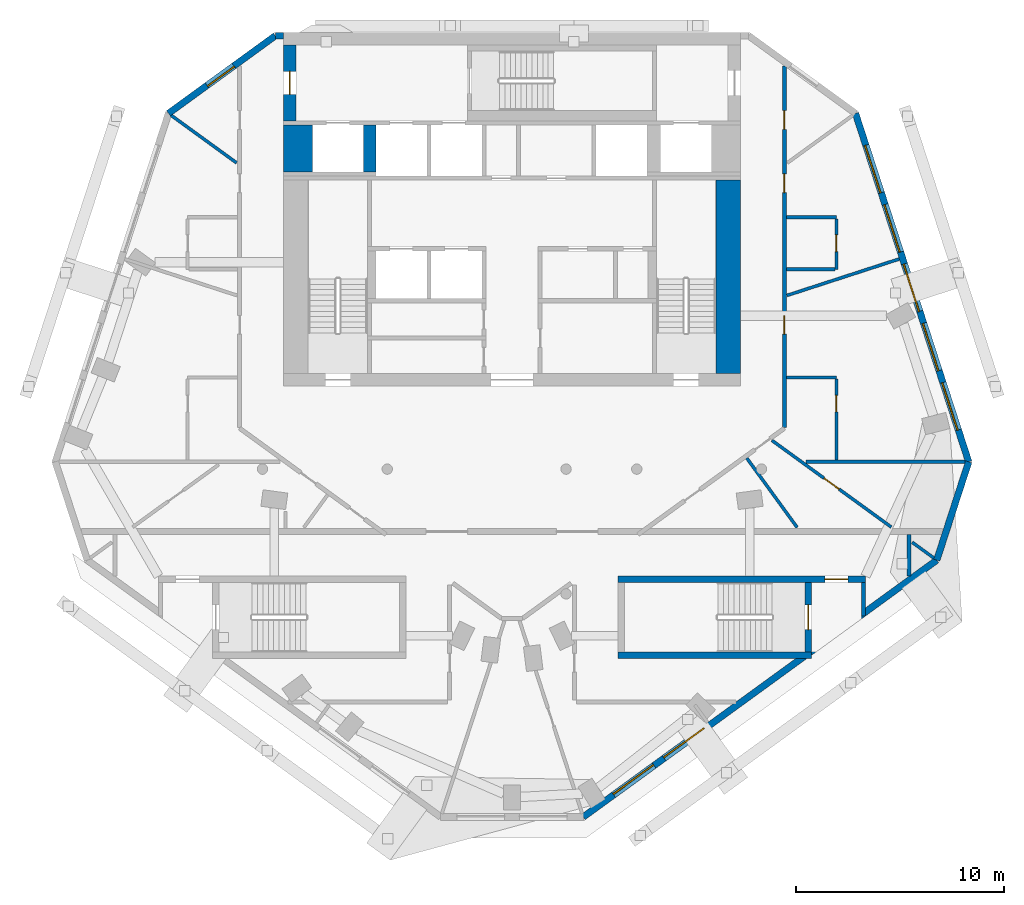
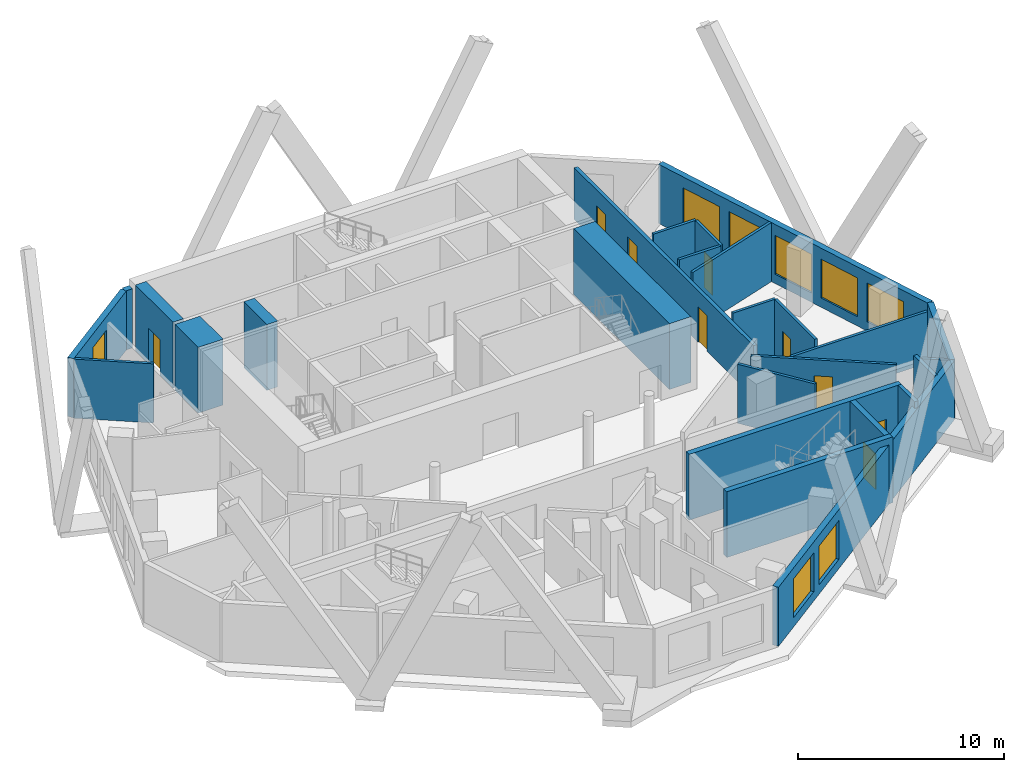
# One storey, part 5 of 8: 26 walls, 9 doors, 8 windows, 17 openings.
"""IFC4 building model written with IfcOpenShell, lengths in metres."""

from ifc_helpers import new_model, si_unit, direction, frame, frame_2d, origin, place, context, subcontext, project, spatial, rectangle, extrude, material, layer, layer_set, type_object, element, fill, save


model = new_model("IFC4")

# Units and contexts
model_context = context("Model", 3, precision=1e-05, world=origin(), true_north=direction((0.0, 1.0)))
body_context = subcontext(model_context, "Body", "Model", "MODEL_VIEW")
ifc_project = project(units=[si_unit("LENGTHUNIT", "METRE"), si_unit("AREAUNIT", "SQUARE_METRE"), si_unit("VOLUMEUNIT", "CUBIC_METRE"), si_unit("PLANEANGLEUNIT", "RADIAN"), si_unit("MASSUNIT", "GRAM", prefix="KILO")], contexts=[model_context])

# Site, building, storey
site_placement = place(None, origin())
site = spatial("IfcSite", under=ifc_project, at=site_placement, CompositionType="ELEMENT")
building_placement = place(site_placement, origin())
building = spatial("IfcBuilding", under=site, at=building_placement, Name="White Candle Pilgrim Tower", CompositionType="ELEMENT")
storey_placement = place(building_placement, frame((0.0, 0.0, 317.800048828125)))
storey = spatial("IfcBuildingStorey", under=building, at=storey_placement, Name="L75", CompositionType="ELEMENT", Elevation=317.800048828125)

# Walls
ifc_material_1 = material(Name="Concrete C40/50", Category="concrete")
ifc_layer_1 = layer(ifc_material_1, 1.39990234375)
ifc_layer_set_1 = layer_set([ifc_layer_1], Name="Core wall 1400 mm Concrete C40/50")
wall_type_1 = type_object("IfcWallType", Name="Core wall 1400 mm Concrete C40/50", PredefinedType="SHEAR", material=ifc_layer_set_1)
wall_1_placement = place(storey_placement, frame((59.699951171875, 81.300048828125, 0.0), z_axis=(0.0, 0.0, 1.0), x_axis=(0.0, 1.0, 0.0)))
element("IfcWall", 1, at=wall_1_placement, inside=storey, type_object=wall_type_1, Name="WL-L75-C40", PredefinedType="SHEAR", context=body_context, shape_type="SweptSolid", body=[
    extrude(rectangle(XDim=2.25, YDim=1.39990234375, at=frame_2d((1.125, 0.0))), origin(), (0.0, 0.0, 1.0), 3.89990234375),
])
ifc_layer_2 = layer(ifc_material_1, 0.199951171875)
ifc_layer_set_2 = layer_set([ifc_layer_2], Name="Core wall 200 mm Concrete C40/50")
wall_type_2 = type_object("IfcWallType", Name="Core wall 200 mm Concrete C40/50", PredefinedType="SHEAR", material=ifc_layer_set_2)
wall_2_placement = place(storey_placement, frame((86.89990234375, 59.934326171875, 0.0), z_axis=(0.0, 0.0, 1.0), x_axis=(0.0, 1.0, 0.0)))
element("IfcWall", 2, at=wall_2_placement, inside=storey, type_object=wall_type_2, Name="WL-L75-C08", PredefinedType="SHEAR", context=body_context, shape_type="SweptSolid", body=[
    extrude(rectangle(XDim=1.61572265625, YDim=0.199951171875, at=frame_2d((0.807861328125, 0.0))), origin(), (0.0, 0.0, 1.0), 3.89990234375),
])

# Wall, opening, door
ifc_layer_3 = layer(ifc_material_1, 0.60009765625)
ifc_layer_set_3 = layer_set([ifc_layer_3], Name="Core wall 600 mm Concrete C40/50")
wall_type_3 = type_object("IfcWallType", Name="Core wall 600 mm Concrete C40/50", PredefinedType="SHEAR", material=ifc_layer_set_3)
wall_3_placement = place(storey_placement, frame((59.300048828125, 83.75, 0.0), z_axis=(0.0, 0.0, 1.0), x_axis=(0.0, 1.0, 0.0)))
wall_3 = element("IfcWall", 3, at=wall_3_placement, inside=storey, type_object=wall_type_3, Name="WL-L75-C45", PredefinedType="SHEAR", context=body_context, shape_type="SweptSolid", body=[
    extrude(rectangle(XDim=3.64990234375, YDim=0.60009765625, at=frame_2d((1.824951171875, 0.0))), origin(), (0.0, 0.0, 1.0), 3.89990234375),
])
opening_1_placement = place(wall_3_placement, frame((1.27490234375, 0.0, 0.0)))
opening_1 = element("IfcOpeningElement", 4, at=opening_1_placement, cuts=wall_3, Name="Opening T23-008", PredefinedType="OPENING", context=body_context, shape_type="SweptSolid", body=[
    extrude(rectangle(XDim=1.10009765625, YDim=2.10009765625, at=frame_2d((0.550048828125, 1.050048828125))), frame((0.0, 0.31005859375, 0.0), z_axis=(0.0, -1.0, 0.0), x_axis=(1.0, 0.0, 0.0)), (0.0, 0.0, 1.0), 0.6201171875),
])
ifc_material_2 = material(Name="Steel door leaf", Category="steel")
door_type_1 = type_object("IfcDoorType", Name="Fire door 1100 x 2100 EI 60", OperationType="NOTDEFINED", PredefinedType="DOOR", material=ifc_material_2)
door_1_placement = place(opening_1_placement, origin())
door_1 = element("IfcDoor", 5, at=door_1_placement, inside=storey, type_object=door_type_1, Name="Door T23-008", OperationType="SINGLE_SWING_RIGHT", OverallHeight=2.10009765625, OverallWidth=1.10009765625, PredefinedType="DOOR", context=body_context, shape_type="SweptSolid", body=[
    extrude(rectangle(XDim=1.10009765625, YDim=2.10009765625, at=frame_2d((0.550048828125, 1.050048828125))), frame((0.0, 0.02490234375, 0.0), z_axis=(0.0, -1.0, 0.0), x_axis=(1.0, 0.0, 0.0)), (0.0, 0.0, 1.0), 0.050048828125),
])
fill(opening_1, door_1)

# Wall, openings, doors
ifc_material_3 = material(Name="Gypsum board on steel studs", Category="steel")
ifc_layer_4 = layer(ifc_material_3, 0.199951171875)
ifc_layer_set_4 = layer_set([ifc_layer_4], Name="Corridor wall 200 mm EI 45")
wall_type_4 = type_object("IfcWallType", Name="Corridor wall 200 mm EI 45", PredefinedType="PARTITIONING", material=ifc_layer_set_4)
wall_4_placement = place(storey_placement, frame((83.10009765625, 86.396240234375, 0.0), z_axis=(0.0, 0.0, 1.0), x_axis=(0.0, -1.0, 0.0)))
wall_4 = element("IfcWall", 6, at=wall_4_placement, inside=storey, type_object=wall_type_4, Name="WL-L75-P004", PredefinedType="PARTITIONING", context=body_context, shape_type="SweptSolid", body=[
    extrude(rectangle(XDim=17.396240234375, YDim=0.199951171875, at=frame_2d((8.6982421875, 0.0))), origin(), (0.0, 0.0, 1.0), 3.050048828125),
])
opening_2_placement = place(wall_4_placement, frame((2.159423828125, 0.0, 0.0)))
opening_2 = element("IfcOpeningElement", 7, at=opening_2_placement, cuts=wall_4, Name="Opening T23-113", PredefinedType="OPENING", context=body_context, shape_type="SweptSolid", body=[
    extrude(rectangle(XDim=0.89990234375, YDim=2.10009765625, at=frame_2d((0.449951171875, 1.050048828125))), frame((0.0, 0.10986328125, 0.0), z_axis=(0.0, -1.0, 0.0), x_axis=(1.0, 0.0, 0.0)), (0.0, 0.0, 1.0), 0.219970703125),
])
opening_3_placement = place(wall_4_placement, frame((5.20166015625, 0.0, 0.0)))
opening_3 = element("IfcOpeningElement", 8, at=opening_3_placement, cuts=wall_4, Name="Opening T23-114", PredefinedType="OPENING", context=body_context, shape_type="SweptSolid", body=[
    extrude(rectangle(XDim=0.89990234375, YDim=2.10009765625, at=frame_2d((0.449951171875, 1.050048828125))), frame((0.0, 0.10986328125, 0.0), z_axis=(0.0, -1.0, 0.0), x_axis=(1.0, 0.0, 0.0)), (0.0, 0.0, 1.0), 0.219970703125),
])
opening_4_placement = place(wall_4_placement, frame((12.008544921875, 0.0, 0.0)))
opening_4 = element("IfcOpeningElement", 9, at=opening_4_placement, cuts=wall_4, Name="Opening T23-115", PredefinedType="OPENING", context=body_context, shape_type="SweptSolid", body=[
    extrude(rectangle(XDim=0.89990234375, YDim=2.10009765625, at=frame_2d((0.449951171875, 1.050048828125))), frame((0.0, 0.10986328125, 0.0), z_axis=(0.0, -1.0, 0.0), x_axis=(1.0, 0.0, 0.0)), (0.0, 0.0, 1.0), 0.219970703125),
])
door_type_2 = type_object("IfcDoorType", Name="Fire door 900 x 2100 EI 30", OperationType="NOTDEFINED", PredefinedType="DOOR", material=ifc_material_2)
door_2_placement = place(opening_2_placement, origin())
door_2 = element("IfcDoor", 10, at=door_2_placement, inside=storey, type_object=door_type_2, Name="Door T23-113", OperationType="SINGLE_SWING_LEFT", OverallHeight=2.10009765625, OverallWidth=0.89990234375, PredefinedType="DOOR", context=body_context, shape_type="SweptSolid", body=[
    extrude(rectangle(XDim=0.89990234375, YDim=2.10009765625, at=frame_2d((0.449951171875, 1.050048828125))), frame((0.0, 0.02490234375, 0.0), z_axis=(0.0, -1.0, 0.0), x_axis=(1.0, 0.0, 0.0)), (0.0, 0.0, 1.0), 0.050048828125),
])
fill(opening_2, door_2)
door_3_placement = place(opening_3_placement, origin())
door_3 = element("IfcDoor", 11, at=door_3_placement, inside=storey, type_object=door_type_2, Name="Door T23-114", OperationType="SINGLE_SWING_RIGHT", OverallHeight=2.10009765625, OverallWidth=0.89990234375, PredefinedType="DOOR", context=body_context, shape_type="SweptSolid", body=[
    extrude(rectangle(XDim=0.89990234375, YDim=2.10009765625, at=frame_2d((0.449951171875, 1.050048828125))), frame((0.0, 0.02490234375, 0.0), z_axis=(0.0, -1.0, 0.0), x_axis=(1.0, 0.0, 0.0)), (0.0, 0.0, 1.0), 0.050048828125),
])
fill(opening_3, door_3)
door_4_placement = place(opening_4_placement, origin())
door_4 = element("IfcDoor", 12, at=door_4_placement, inside=storey, type_object=door_type_2, Name="Door T23-115", OperationType="SINGLE_SWING_LEFT", OverallHeight=2.10009765625, OverallWidth=0.89990234375, PredefinedType="DOOR", context=body_context, shape_type="SweptSolid", body=[
    extrude(rectangle(XDim=0.89990234375, YDim=2.10009765625, at=frame_2d((0.449951171875, 1.050048828125))), frame((0.0, 0.02490234375, 0.0), z_axis=(0.0, -1.0, 0.0), x_axis=(1.0, 0.0, 0.0)), (0.0, 0.0, 1.0), 0.050048828125),
])
fill(opening_4, door_4)

# Wall
wall_5_placement = place(storey_placement, frame((89.10009765625, 63.85009765625, 0.0), z_axis=(0.0, 0.0, 1.0), x_axis=(0.0, -1.0, 0.0)))
element("IfcWall", 13, at=wall_5_placement, inside=storey, type_object=wall_type_4, Name="WL-L75-P006", PredefinedType="PARTITIONING", context=body_context, shape_type="SweptSolid", body=[
    extrude(rectangle(XDim=1.99462890625, YDim=0.199951171875, at=frame_2d((0.997314453125, 0.0))), origin(), (0.0, 0.0, 1.0), 3.5),
])

# Wall, openings, windows
ifc_material_4 = material(Name="Precast concrete C40/50", Category="concrete")
ifc_layer_5 = layer(ifc_material_4, 0.320068359375)
ifc_layer_set_5 = layer_set([ifc_layer_5], Name="Facade wall EW1 precast concrete C40/50 pier wall with timber-lined reveals")
wall_type_5 = type_object("IfcWallType", Name="Facade wall EW1 precast concrete C40/50 pier wall with timber-lined reveals", PredefinedType="SOLIDWALL", material=ifc_layer_set_5)
wall_6_placement = place(storey_placement, frame((73.427001953125, 50.270751953125, 0.0), z_axis=(0.0, 0.0, 1.0), x_axis=(0.809016820716, 0.587785491314, 0.0)))
wall_6 = element("IfcWall", 14, at=wall_6_placement, inside=storey, type_object=wall_type_5, Name="Facade wall L75 SE", PredefinedType="SOLIDWALL", context=body_context, shape_type="SweptSolid", body=[
    extrude(rectangle(XDim=21.014892578125, YDim=0.320068359375, at=frame_2d((10.50732421875, 0.0))), origin(), (0.0, 0.0, 1.0), 3.5),
])
opening_5_placement = place(wall_6_placement, frame((1.807373046875, 0.0, 0.550048828125)))
opening_5 = element("IfcOpeningElement", 15, at=opening_5_placement, cuts=wall_6, Name="Opening W5", PredefinedType="OPENING", context=body_context, shape_type="SweptSolid", body=[
    extrude(rectangle(XDim=2.39990234375, YDim=2.300048828125, at=frame_2d((1.199951171875, 1.14990234375))), frame((0.0, 0.169921875, 0.0), z_axis=(0.0, -1.0, 0.0), x_axis=(1.0, 0.0, 0.0)), (0.0, 0.0, 1.0), 0.340087890625),
])
opening_6_placement = place(wall_6_placement, frame((4.807373046875, 0.0, 0.550048828125)))
opening_6 = element("IfcOpeningElement", 16, at=opening_6_placement, cuts=wall_6, Name="Opening W5", PredefinedType="OPENING", context=body_context, shape_type="SweptSolid", body=[
    extrude(rectangle(XDim=2.39990234375, YDim=2.300048828125, at=frame_2d((1.199951171875, 1.14990234375))), frame((0.0, 0.169921875, 0.0), z_axis=(0.0, -1.0, 0.0), x_axis=(1.0, 0.0, 0.0)), (0.0, 0.0, 1.0), 0.340087890625),
])
ifc_material_5 = material(Name="Timber frame with triple glazing", Category="wood")
window_type_1 = type_object("IfcWindowType", Name="Window W5 2400x2300 timber frame triple glazing", PartitioningType="SINGLE_PANEL", PredefinedType="WINDOW", material=ifc_material_5)
window_1_placement = place(opening_5_placement, origin())
window_1 = element("IfcWindow", 17, at=window_1_placement, inside=storey, type_object=window_type_1, Name="Window W5 L75 SE 1", OverallHeight=2.300048828125, OverallWidth=2.39990234375, PartitioningType="SINGLE_PANEL", PredefinedType="WINDOW", context=body_context, shape_type="SweptSolid", body=[
    extrude(rectangle(XDim=2.39990234375, YDim=2.300048828125, at=frame_2d((1.199951171875, 1.14990234375))), frame((0.0, 0.070068359375, 0.0), z_axis=(0.0, -1.0, 0.0), x_axis=(1.0, 0.0, 0.0)), (0.0, 0.0, 1.0), 0.06005859375),
])
fill(opening_5, window_1)
window_2_placement = place(opening_6_placement, origin())
window_2 = element("IfcWindow", 18, at=window_2_placement, inside=storey, type_object=window_type_1, Name="Window W5 L75 SE 2", OverallHeight=2.300048828125, OverallWidth=2.39990234375, PartitioningType="SINGLE_PANEL", PredefinedType="WINDOW", context=body_context, shape_type="SweptSolid", body=[
    extrude(rectangle(XDim=2.39990234375, YDim=2.300048828125, at=frame_2d((1.199951171875, 1.14990234375))), frame((0.0, 0.070068359375, 0.0), z_axis=(0.0, -1.0, 0.0), x_axis=(1.0, 0.0, 0.0)), (0.0, 0.0, 1.0), 0.06005859375),
])
fill(opening_6, window_2)

# Wall
wall_7_placement = place(storey_placement, frame((90.428466796875, 62.623046875, 0.0), z_axis=(0.0, 0.0, 1.0), x_axis=(0.309016131261, 0.951056796737, 0.0)))
element("IfcWall", 19, at=wall_7_placement, inside=storey, type_object=wall_type_5, Name="Facade wall L75 E chamfer", PredefinedType="SOLIDWALL", context=body_context, shape_type="SweptSolid", body=[
    extrude(rectangle(XDim=4.97265625, YDim=0.320068359375, at=frame_2d((2.486328125, 0.0))), origin(), (0.0, 0.0, 1.0), 3.5),
])

# Wall, openings, windows
wall_8_placement = place(storey_placement, frame((91.965087890625, 67.352294921875, 0.0), z_axis=(0.0, 0.0, 1.0), x_axis=(-0.309018707068, 0.951055959806, 0.0)))
wall_8 = element("IfcWall", 20, at=wall_8_placement, inside=storey, type_object=wall_type_5, Name="Facade wall L75 ENE", PredefinedType="SOLIDWALL", context=body_context, shape_type="SweptSolid", body=[
    extrude(rectangle(XDim=17.618896484375, YDim=0.320068359375, at=frame_2d((8.8095703125, 0.0))), origin(), (0.0, 0.0, 1.0), 3.5),
])
opening_7_placement = place(wall_8_placement, frame((1.609375, 0.0, 0.550048828125)))
opening_7 = element("IfcOpeningElement", 21, at=opening_7_placement, cuts=wall_8, Name="Opening W5", PredefinedType="OPENING", context=body_context, shape_type="SweptSolid", body=[
    extrude(rectangle(XDim=2.39990234375, YDim=2.300048828125, at=frame_2d((1.199951171875, 1.14990234375))), frame((0.0, 0.169921875, 0.0), z_axis=(0.0, -1.0, 0.0), x_axis=(1.0, 0.0, 0.0)), (0.0, 0.0, 1.0), 0.340087890625),
])
opening_8_placement = place(wall_8_placement, frame((4.609375, 0.0, 0.550048828125)))
opening_8 = element("IfcOpeningElement", 22, at=opening_8_placement, cuts=wall_8, Name="Opening W5", PredefinedType="OPENING", context=body_context, shape_type="SweptSolid", body=[
    extrude(rectangle(XDim=2.39990234375, YDim=2.300048828125, at=frame_2d((1.199951171875, 1.14990234375))), frame((0.0, 0.169921875, 0.0), z_axis=(0.0, -1.0, 0.0), x_axis=(1.0, 0.0, 0.0)), (0.0, 0.0, 1.0), 0.340087890625),
])
opening_9_placement = place(wall_8_placement, frame((7.609375, 0.0, 0.550048828125)))
opening_9 = element("IfcOpeningElement", 23, at=opening_9_placement, cuts=wall_8, Name="Opening W5", PredefinedType="OPENING", context=body_context, shape_type="SweptSolid", body=[
    extrude(rectangle(XDim=2.39990234375, YDim=2.300048828125, at=frame_2d((1.199951171875, 1.14990234375))), frame((0.0, 0.169921875, 0.0), z_axis=(0.0, -1.0, 0.0), x_axis=(1.0, 0.0, 0.0)), (0.0, 0.0, 1.0), 0.340087890625),
])
opening_10_placement = place(wall_8_placement, frame((10.609375, 0.0, 0.550048828125)))
opening_10 = element("IfcOpeningElement", 24, at=opening_10_placement, cuts=wall_8, Name="Opening W5", PredefinedType="OPENING", context=body_context, shape_type="SweptSolid", body=[
    extrude(rectangle(XDim=2.39990234375, YDim=2.300048828125, at=frame_2d((1.199951171875, 1.14990234375))), frame((0.0, 0.169921875, 0.0), z_axis=(0.0, -1.0, 0.0), x_axis=(1.0, 0.0, 0.0)), (0.0, 0.0, 1.0), 0.340087890625),
])
opening_11_placement = place(wall_8_placement, frame((13.609375, 0.0, 0.550048828125)))
opening_11 = element("IfcOpeningElement", 25, at=opening_11_placement, cuts=wall_8, Name="Opening W5", PredefinedType="OPENING", context=body_context, shape_type="SweptSolid", body=[
    extrude(rectangle(XDim=2.39990234375, YDim=2.300048828125, at=frame_2d((1.199951171875, 1.14990234375))), frame((0.0, 0.169921875, 0.0), z_axis=(0.0, -1.0, 0.0), x_axis=(1.0, 0.0, 0.0)), (0.0, 0.0, 1.0), 0.340087890625),
])
window_3_placement = place(opening_7_placement, origin())
window_3 = element("IfcWindow", 26, at=window_3_placement, inside=storey, type_object=window_type_1, Name="Window W5 L75 ENE 1", OverallHeight=2.300048828125, OverallWidth=2.39990234375, PartitioningType="SINGLE_PANEL", PredefinedType="WINDOW", context=body_context, shape_type="SweptSolid", body=[
    extrude(rectangle(XDim=2.39990234375, YDim=2.300048828125, at=frame_2d((1.199951171875, 1.14990234375))), frame((0.0, 0.070068359375, 0.0), z_axis=(0.0, -1.0, 0.0), x_axis=(1.0, 0.0, 0.0)), (0.0, 0.0, 1.0), 0.06005859375),
])
fill(opening_7, window_3)
window_4_placement = place(opening_8_placement, origin())
window_4 = element("IfcWindow", 27, at=window_4_placement, inside=storey, type_object=window_type_1, Name="Window W5 L75 ENE 2", OverallHeight=2.300048828125, OverallWidth=2.39990234375, PartitioningType="SINGLE_PANEL", PredefinedType="WINDOW", context=body_context, shape_type="SweptSolid", body=[
    extrude(rectangle(XDim=2.39990234375, YDim=2.300048828125, at=frame_2d((1.199951171875, 1.14990234375))), frame((0.0, 0.070068359375, 0.0), z_axis=(0.0, -1.0, 0.0), x_axis=(1.0, 0.0, 0.0)), (0.0, 0.0, 1.0), 0.06005859375),
])
fill(opening_8, window_4)
window_5_placement = place(opening_9_placement, origin())
window_5 = element("IfcWindow", 28, at=window_5_placement, inside=storey, type_object=window_type_1, Name="Window W5 L75 ENE 3", OverallHeight=2.300048828125, OverallWidth=2.39990234375, PartitioningType="SINGLE_PANEL", PredefinedType="WINDOW", context=body_context, shape_type="SweptSolid", body=[
    extrude(rectangle(XDim=2.39990234375, YDim=2.300048828125, at=frame_2d((1.199951171875, 1.14990234375))), frame((0.0, 0.070068359375, 0.0), z_axis=(0.0, -1.0, 0.0), x_axis=(1.0, 0.0, 0.0)), (0.0, 0.0, 1.0), 0.06005859375),
])
fill(opening_9, window_5)
window_6_placement = place(opening_10_placement, origin())
window_6 = element("IfcWindow", 29, at=window_6_placement, inside=storey, type_object=window_type_1, Name="Window W5 L75 ENE 4", OverallHeight=2.300048828125, OverallWidth=2.39990234375, PartitioningType="SINGLE_PANEL", PredefinedType="WINDOW", context=body_context, shape_type="SweptSolid", body=[
    extrude(rectangle(XDim=2.39990234375, YDim=2.300048828125, at=frame_2d((1.199951171875, 1.14990234375))), frame((0.0, 0.070068359375, 0.0), z_axis=(0.0, -1.0, 0.0), x_axis=(1.0, 0.0, 0.0)), (0.0, 0.0, 1.0), 0.06005859375),
])
fill(opening_10, window_6)
window_7_placement = place(opening_11_placement, origin())
window_7 = element("IfcWindow", 30, at=window_7_placement, inside=storey, type_object=window_type_1, Name="Window W5 L75 ENE 5", OverallHeight=2.300048828125, OverallWidth=2.39990234375, PartitioningType="SINGLE_PANEL", PredefinedType="WINDOW", context=body_context, shape_type="SweptSolid", body=[
    extrude(rectangle(XDim=2.39990234375, YDim=2.300048828125, at=frame_2d((1.199951171875, 1.14990234375))), frame((0.0, 0.070068359375, 0.0), z_axis=(0.0, -1.0, 0.0), x_axis=(1.0, 0.0, 0.0)), (0.0, 0.0, 1.0), 0.06005859375),
])
fill(opening_11, window_7)

# Wall
wall_9_placement = place(storey_placement, frame((59.0, 87.840087890625, 0.0), z_axis=(0.0, 0.0, 1.0), x_axis=(-1.0, 0.0, 0.0)))
element("IfcWall", 31, at=wall_9_placement, inside=storey, type_object=wall_type_5, Name="Facade wall L75 N", PredefinedType="SOLIDWALL", context=body_context, shape_type="SweptSolid", body=[
    extrude(rectangle(XDim=0.385009765625, YDim=0.320068359375, at=frame_2d((0.1923828125, 0.0))), origin(), (0.0, 0.0, 1.0), 3.5),
])

# Wall, opening, window
wall_10_placement = place(storey_placement, frame((58.614990234375, 87.840087890625, 0.0), z_axis=(0.0, 0.0, 1.0), x_axis=(-0.809013740323, -0.587789731084, 0.0)))
wall_10 = element("IfcWall", 32, at=wall_10_placement, inside=storey, type_object=wall_type_5, Name="Facade wall L75 NW chamfer", PredefinedType="SOLIDWALL", context=body_context, shape_type="SweptSolid", body=[
    extrude(rectangle(XDim=6.347900390625, YDim=0.320068359375, at=frame_2d((3.173828125, 0.0))), origin(), (0.0, 0.0, 1.0), 3.5),
])
opening_12_placement = place(wall_10_placement, frame((2.459716796875, 0.0, 0.89990234375)))
opening_12 = element("IfcOpeningElement", 33, at=opening_12_placement, cuts=wall_10, Name="Opening W2", PredefinedType="OPENING", context=body_context, shape_type="SweptSolid", body=[
    extrude(rectangle(XDim=1.60009765625, YDim=1.800048828125, at=frame_2d((0.800048828125, 0.89990234375))), frame((0.0, 0.169921875, 0.0), z_axis=(0.0, -1.0, 0.0), x_axis=(1.0, 0.0, 0.0)), (0.0, 0.0, 1.0), 0.340087890625),
])
window_type_2 = type_object("IfcWindowType", Name="Window W2 1600x1800 timber frame triple glazing", PartitioningType="SINGLE_PANEL", PredefinedType="WINDOW", material=ifc_material_5)
window_8_placement = place(opening_12_placement, origin())
window_8 = element("IfcWindow", 34, at=window_8_placement, inside=storey, type_object=window_type_2, Name="Window W2 L75 NW chamfer 1", OverallHeight=1.800048828125, OverallWidth=1.60009765625, PartitioningType="SINGLE_PANEL", PredefinedType="WINDOW", context=body_context, shape_type="SweptSolid", body=[
    extrude(rectangle(XDim=1.60009765625, YDim=1.800048828125, at=frame_2d((0.800048828125, 0.89990234375))), frame((0.0, 0.070068359375, 0.0), z_axis=(0.0, -1.0, 0.0), x_axis=(1.0, 0.0, 0.0)), (0.0, 0.0, 1.0), 0.06005859375),
])
fill(opening_12, window_8)

# Walls
ifc_layer_6 = layer(ifc_material_3, 0.14990234375)
ifc_layer_set_6 = layer_set([ifc_layer_6], Name="Partition 150 mm EI 60")
wall_type_6 = type_object("IfcWallType", Name="Partition 150 mm EI 60", PredefinedType="PARTITIONING", material=ifc_layer_set_6)
wall_11_placement = place(storey_placement, frame((53.615478515625, 84.010009765625, 0.0), z_axis=(0.0, 0.0, 1.0), x_axis=(0.809002534855, -0.5878051536, 0.0)))
element("IfcWall", 35, at=wall_11_placement, inside=storey, type_object=wall_type_6, Name="WL-L75-P015", PredefinedType="PARTITIONING", context=body_context, shape_type="SweptSolid", body=[
    extrude(rectangle(XDim=3.8818359375, YDim=0.14990234375, at=frame_2d((1.94091796875, 0.0))), origin(), (0.0, 0.0, 1.0), 3.5),
])
wall_12_placement = place(storey_placement, frame((90.292236328125, 62.7216796875, 0.0), z_axis=(0.0, 0.0, 1.0), x_axis=(-0.808931599774, 0.587902769927, 0.0)))
element("IfcWall", 36, at=wall_12_placement, inside=storey, type_object=wall_type_6, Name="WL-L75-P021", PredefinedType="PARTITIONING", context=body_context, shape_type="SweptSolid", body=[
    extrude(rectangle(XDim=1.295654296875, YDim=0.14990234375, at=frame_2d((0.64794921875, 0.0))), origin(), (0.0, 0.0, 1.0), 3.5),
])

# Wall, opening, door
wall_13_placement = place(storey_placement, frame((88.2431640625, 64.210693359375, 0.0), z_axis=(0.0, 0.0, 1.0), x_axis=(-0.809012762511, 0.587791076909, 0.0)))
wall_13 = element("IfcWall", 37, at=wall_13_placement, inside=storey, type_object=wall_type_6, Name="WL-L75-P022", PredefinedType="PARTITIONING", context=body_context, shape_type="SweptSolid", body=[
    extrude(rectangle(XDim=7.094970703125, YDim=0.14990234375, at=frame_2d((3.54736328125, 0.0))), origin(), (0.0, 0.0, 1.0), 3.050048828125),
])
opening_13_placement = place(wall_13_placement, frame((3.097412109375, 0.0, 0.0)))
opening_13 = element("IfcOpeningElement", 38, at=opening_13_placement, cuts=wall_13, Name="Opening T23-121", PredefinedType="OPENING", context=body_context, shape_type="SweptSolid", body=[
    extrude(rectangle(XDim=0.89990234375, YDim=2.10009765625, at=frame_2d((0.449951171875, 1.050048828125))), frame((0.0, 0.0849609375, 0.0), z_axis=(0.0, -1.0, 0.0), x_axis=(1.0, 0.0, 0.0)), (0.0, 0.0, 1.0), 0.169921875),
])
door_5_placement = place(opening_13_placement, frame((0.89990234375, 0.0, 0.0), z_axis=(0.0, 0.0, 1.0), x_axis=(-1.0, 0.0, 0.0)))
door_5 = element("IfcDoor", 39, at=door_5_placement, inside=storey, type_object=door_type_2, Name="Door T23-121", OperationType="SINGLE_SWING_RIGHT", OverallHeight=2.10009765625, OverallWidth=0.89990234375, PredefinedType="DOOR", context=body_context, shape_type="SweptSolid", body=[
    extrude(rectangle(XDim=0.89990234375, YDim=2.10009765625, at=frame_2d((0.449951171875, 1.050048828125))), frame((0.0, 0.02490234375, 0.0), z_axis=(0.0, -1.0, 0.0), x_axis=(1.0, 0.0, 0.0)), (0.0, 0.0, 1.0), 0.050048828125),
])
fill(opening_13, door_5)

# Walls
wall_14_placement = place(storey_placement, frame((91.796875, 67.352294921875, 0.0), z_axis=(0.0, 0.0, 1.0), x_axis=(-1.0, 0.0, 0.0)))
element("IfcWall", 40, at=wall_14_placement, inside=storey, type_object=wall_type_6, Name="WL-L75-P023", PredefinedType="PARTITIONING", context=body_context, shape_type="SweptSolid", body=[
    extrude(rectangle(XDim=7.647216796875, YDim=0.14990234375, at=frame_2d((3.82373046875, 0.0))), origin(), (0.0, 0.0, 1.0), 3.050048828125),
])
wall_15_placement = place(storey_placement, frame((83.71533203125, 64.194091796875, 0.0), z_axis=(0.0, 0.0, 1.0), x_axis=(-0.587756163253, 0.809038128, 0.0)))
element("IfcWall", 41, at=wall_15_placement, inside=storey, type_object=wall_type_6, Name="WL-L75-P034", PredefinedType="PARTITIONING", context=body_context, shape_type="SweptSolid", body=[
    extrude(rectangle(XDim=4.123046875, YDim=0.14990234375, at=frame_2d((2.0615234375, 0.0))), origin(), (0.0, 0.0, 1.0), 3.5),
])
wall_16_placement = place(storey_placement, frame((88.627197265625, 77.107666015625, 0.0), z_axis=(0.0, 0.0, 1.0), x_axis=(-0.951057747163, -0.309013206126, 0.0)))
element("IfcWall", 42, at=wall_16_placement, inside=storey, type_object=wall_type_6, Name="WL-L75-P035", PredefinedType="PARTITIONING", context=body_context, shape_type="SweptSolid", body=[
    extrude(rectangle(XDim=5.68212890625, YDim=0.14990234375, at=frame_2d((2.841064453125, 0.0))), origin(), (0.0, 0.0, 1.0), 3.5),
])
wall_17_placement = place(storey_placement, frame((83.199951171875, 71.39990234375, 0.0), z_axis=(0.0, 0.0, 1.0), x_axis=(1.0, 0.0, 0.0)))
element("IfcWall", 43, at=wall_17_placement, inside=storey, type_object=wall_type_6, Name="WL-L75-P036", PredefinedType="PARTITIONING", context=body_context, shape_type="SweptSolid", body=[
    extrude(rectangle(XDim=2.400146484375, YDim=0.14990234375, at=frame_2d((1.2001953125, 0.0))), origin(), (0.0, 0.0, 1.0), 3.5),
])

# Wall, opening, door
wall_18_placement = place(storey_placement, frame((85.60009765625, 67.427490234375, 0.0), z_axis=(0.0, 0.0, 1.0), x_axis=(0.0, 1.0, 0.0)))
wall_18 = element("IfcWall", 44, at=wall_18_placement, inside=storey, type_object=wall_type_6, Name="WL-L75-P037", PredefinedType="PARTITIONING", context=body_context, shape_type="SweptSolid", body=[
    extrude(rectangle(XDim=3.8974609375, YDim=0.14990234375, at=frame_2d((1.94873046875, 0.0))), origin(), (0.0, 0.0, 1.0), 3.5),
])
opening_14_placement = place(wall_18_placement, frame((2.322509765625, 0.0, 0.0)))
opening_14 = element("IfcOpeningElement", 45, at=opening_14_placement, cuts=wall_18, Name="Opening T23-105", PredefinedType="OPENING", context=body_context, shape_type="SweptSolid", body=[
    extrude(rectangle(XDim=0.800048828125, YDim=2.10009765625, at=frame_2d((0.39990234375, 1.050048828125))), frame((0.0, 0.0849609375, 0.0), z_axis=(0.0, -1.0, 0.0), x_axis=(1.0, 0.0, 0.0)), (0.0, 0.0, 1.0), 0.169921875),
])
door_type_3 = type_object("IfcDoorType", Name="Fire door 800 x 2100 EI 30", OperationType="NOTDEFINED", PredefinedType="DOOR", material=ifc_material_2)
door_6_placement = place(opening_14_placement, frame((0.800048828125, 0.0, 0.0), z_axis=(0.0, 0.0, 1.0), x_axis=(-1.0, 0.0, 0.0)))
door_6 = element("IfcDoor", 46, at=door_6_placement, inside=storey, type_object=door_type_3, Name="Door T23-105", OperationType="SINGLE_SWING_RIGHT", OverallHeight=2.10009765625, OverallWidth=0.800048828125, PredefinedType="DOOR", context=body_context, shape_type="SweptSolid", body=[
    extrude(rectangle(XDim=0.800048828125, YDim=2.10009765625, at=frame_2d((0.39990234375, 1.050048828125))), frame((0.0, 0.02490234375, 0.0), z_axis=(0.0, -1.0, 0.0), x_axis=(1.0, 0.0, 0.0)), (0.0, 0.0, 1.0), 0.050048828125),
])
fill(opening_14, door_6)

# Wall
wall_19_placement = place(storey_placement, frame((83.199951171875, 79.11181640625, 0.0), z_axis=(0.0, 0.0, 1.0), x_axis=(1.0, 0.0, 0.0)))
element("IfcWall", 47, at=wall_19_placement, inside=storey, type_object=wall_type_6, Name="WL-L75-P038", PredefinedType="PARTITIONING", context=body_context, shape_type="SweptSolid", body=[
    extrude(rectangle(XDim=2.400146484375, YDim=0.14990234375, at=frame_2d((1.2001953125, 0.0))), origin(), (0.0, 0.0, 1.0), 3.5),
])

# Wall, opening, door
wall_20_placement = place(storey_placement, frame((85.60009765625, 76.61181640625, 0.0), z_axis=(0.0, 0.0, 1.0), x_axis=(0.0, 1.0, 0.0)))
wall_20 = element("IfcWall", 48, at=wall_20_placement, inside=storey, type_object=wall_type_6, Name="WL-L75-P039", PredefinedType="PARTITIONING", context=body_context, shape_type="SweptSolid", body=[
    extrude(rectangle(XDim=2.425048828125, YDim=0.14990234375, at=frame_2d((1.21240234375, 0.0))), origin(), (0.0, 0.0, 1.0), 3.5),
])
opening_15_placement = place(wall_20_placement, frame((0.85009765625, 0.0, 0.0)))
opening_15 = element("IfcOpeningElement", 49, at=opening_15_placement, cuts=wall_20, Name="Opening T23-106", PredefinedType="OPENING", context=body_context, shape_type="SweptSolid", body=[
    extrude(rectangle(XDim=0.800048828125, YDim=2.10009765625, at=frame_2d((0.39990234375, 1.050048828125))), frame((0.0, 0.0849609375, 0.0), z_axis=(0.0, -1.0, 0.0), x_axis=(1.0, 0.0, 0.0)), (0.0, 0.0, 1.0), 0.169921875),
])
door_7_placement = place(opening_15_placement, frame((0.800048828125, 0.0, 0.0), z_axis=(0.0, 0.0, 1.0), x_axis=(-1.0, 0.0, 0.0)))
door_7 = element("IfcDoor", 50, at=door_7_placement, inside=storey, type_object=door_type_3, Name="Door T23-106", OperationType="SINGLE_SWING_LEFT", OverallHeight=2.10009765625, OverallWidth=0.800048828125, PredefinedType="DOOR", context=body_context, shape_type="SweptSolid", body=[
    extrude(rectangle(XDim=0.800048828125, YDim=2.10009765625, at=frame_2d((0.39990234375, 1.050048828125))), frame((0.0, 0.02490234375, 0.0), z_axis=(0.0, -1.0, 0.0), x_axis=(1.0, 0.0, 0.0)), (0.0, 0.0, 1.0), 0.050048828125),
])
fill(opening_15, door_7)

# Walls
wall_21_placement = place(storey_placement, frame((83.199951171875, 76.61181640625, 0.0), z_axis=(0.0, 0.0, 1.0), x_axis=(1.0, 0.0, 0.0)))
element("IfcWall", 51, at=wall_21_placement, inside=storey, type_object=wall_type_6, Name="WL-L75-P040", PredefinedType="PARTITIONING", context=body_context, shape_type="SweptSolid", body=[
    extrude(rectangle(XDim=2.324951171875, YDim=0.14990234375, at=frame_2d((1.16259765625, 0.0))), origin(), (0.0, 0.0, 1.0), 3.5),
])
ifc_layer_7 = layer(ifc_material_1, 0.60009765625)
ifc_layer_set_7 = layer_set([ifc_layer_7], Name="Shaft wall 600 mm Concrete C40/50")
wall_type_7 = type_object("IfcWallType", Name="Shaft wall 600 mm Concrete C40/50", PredefinedType="SHEAR", material=ifc_layer_set_7)
wall_22_placement = place(storey_placement, frame((63.14990234375, 81.300048828125, 0.0), z_axis=(0.0, 0.0, 1.0), x_axis=(0.0, 1.0, 0.0)))
element("IfcWall", 52, at=wall_22_placement, inside=storey, type_object=wall_type_7, Name="WL-L75-C41", PredefinedType="SHEAR", context=body_context, shape_type="SweptSolid", body=[
    extrude(rectangle(XDim=2.25, YDim=0.60009765625, at=frame_2d((1.125, 0.0))), origin(), (0.0, 0.0, 1.0), 3.89990234375),
])
ifc_layer_8 = layer(ifc_material_1, 1.199951171875)
ifc_layer_set_8 = layer_set([ifc_layer_8], Name="Stair shaft wall 1200 mm Concrete C40/50")
wall_type_8 = type_object("IfcWallType", Name="Stair shaft wall 1200 mm Concrete C40/50", PredefinedType="SHEAR", material=ifc_layer_set_8)
wall_23_placement = place(storey_placement, frame((80.39990234375, 71.60009765625, 0.0), z_axis=(0.0, 0.0, 1.0), x_axis=(0.0, 1.0, 0.0)))
element("IfcWall", 53, at=wall_23_placement, inside=storey, type_object=wall_type_8, Name="WL-L75-C17", PredefinedType="SHEAR", context=body_context, shape_type="SweptSolid", body=[
    extrude(rectangle(XDim=9.2998046875, YDim=1.199951171875, at=frame_2d((4.64990234375, 0.0))), origin(), (0.0, 0.0, 1.0), 3.89990234375),
])
ifc_layer_9 = layer(ifc_material_1, 0.300048828125)
ifc_layer_set_9 = layer_set([ifc_layer_9], Name="Stair shaft wall 300 mm Concrete C40/50")
wall_type_9 = type_object("IfcWallType", Name="Stair shaft wall 300 mm Concrete C40/50", PredefinedType="SHEAR", material=ifc_layer_set_9)
wall_24_placement = place(storey_placement, frame((75.10009765625, 58.050048828125, 0.0), z_axis=(0.0, 0.0, 1.0), x_axis=(1.0, 0.0, 0.0)))
element("IfcWall", 54, at=wall_24_placement, inside=storey, type_object=wall_type_9, Name="WL-L75-C02", PredefinedType="SHEAR", context=body_context, shape_type="SweptSolid", body=[
    extrude(rectangle(XDim=9.2998046875, YDim=0.300048828125, at=frame_2d((4.64990234375, 0.0))), origin(), (0.0, 0.0, 1.0), 3.89990234375),
])

# Wall, opening, door
wall_25_placement = place(storey_placement, frame((84.25, 58.199951171875, 0.0), z_axis=(0.0, 0.0, 1.0), x_axis=(0.0, 1.0, 0.0)))
wall_25 = element("IfcWall", 55, at=wall_25_placement, inside=storey, type_object=wall_type_9, Name="WL-L75-C06", PredefinedType="SHEAR", context=body_context, shape_type="SweptSolid", body=[
    extrude(rectangle(XDim=3.35009765625, YDim=0.300048828125, at=frame_2d((1.675048828125, 0.0))), origin(), (0.0, 0.0, 1.0), 3.89990234375),
])
opening_16_placement = place(wall_25_placement, frame((1.074951171875, 0.0, 0.0)))
opening_16 = element("IfcOpeningElement", 56, at=opening_16_placement, cuts=wall_25, Name="Opening T23-013", PredefinedType="OPENING", context=body_context, shape_type="SweptSolid", body=[
    extrude(rectangle(XDim=1.199951171875, YDim=2.10009765625, at=frame_2d((0.60009765625, 1.050048828125))), frame((0.0, 0.159912109375, 0.0), z_axis=(0.0, -1.0, 0.0), x_axis=(1.0, 0.0, 0.0)), (0.0, 0.0, 1.0), 0.320068359375),
])
door_type_4 = type_object("IfcDoorType", Name="Fire door 1200 x 2100 EI 60", OperationType="NOTDEFINED", PredefinedType="DOOR", material=ifc_material_2)
door_8_placement = place(opening_16_placement, origin())
door_8 = element("IfcDoor", 57, at=door_8_placement, inside=storey, type_object=door_type_4, Name="Door T23-013", OperationType="SINGLE_SWING_LEFT", OverallHeight=2.10009765625, OverallWidth=1.199951171875, PredefinedType="DOOR", context=body_context, shape_type="SweptSolid", body=[
    extrude(rectangle(XDim=1.199951171875, YDim=2.10009765625, at=frame_2d((0.60009765625, 1.050048828125))), frame((0.0, 0.02490234375, 0.0), z_axis=(0.0, -1.0, 0.0), x_axis=(1.0, 0.0, 0.0)), (0.0, 0.0, 1.0), 0.050048828125),
])
fill(opening_16, door_8)

wall_26_placement = place(storey_placement, frame((75.10009765625, 61.699951171875, 0.0), z_axis=(0.0, 0.0, 1.0), x_axis=(1.0, 0.0, 0.0)))
wall_26 = element("IfcWall", 58, at=wall_26_placement, inside=storey, type_object=wall_type_9, Name="WL-L75-C10", PredefinedType="SHEAR", context=body_context, shape_type="SweptSolid", body=[
    extrude(rectangle(XDim=11.89990234375, YDim=0.300048828125, at=frame_2d((5.949951171875, 0.0))), origin(), (0.0, 0.0, 1.0), 3.89990234375),
])
opening_17_placement = place(wall_26_placement, frame((9.949951171875, 0.0, 0.0)))
opening_17 = element("IfcOpeningElement", 59, at=opening_17_placement, cuts=wall_26, Name="Opening T23-012", PredefinedType="OPENING", context=body_context, shape_type="SweptSolid", body=[
    extrude(rectangle(XDim=1.10009765625, YDim=2.10009765625, at=frame_2d((0.550048828125, 1.050048828125))), frame((0.0, 0.159912109375, 0.0), z_axis=(0.0, -1.0, 0.0), x_axis=(1.0, 0.0, 0.0)), (0.0, 0.0, 1.0), 0.320068359375),
])
door_9_placement = place(opening_17_placement, frame((1.10009765625, 0.0, 0.0), z_axis=(0.0, 0.0, 1.0), x_axis=(-1.0, 0.0, 0.0)))
door_9 = element("IfcDoor", 60, at=door_9_placement, inside=storey, type_object=door_type_1, Name="Door T23-012", OperationType="SINGLE_SWING_LEFT", OverallHeight=2.10009765625, OverallWidth=1.10009765625, PredefinedType="DOOR", context=body_context, shape_type="SweptSolid", body=[
    extrude(rectangle(XDim=1.10009765625, YDim=2.10009765625, at=frame_2d((0.550048828125, 1.050048828125))), frame((0.0, 0.02490234375, 0.0), z_axis=(0.0, -1.0, 0.0), x_axis=(1.0, 0.0, 0.0)), (0.0, 0.0, 1.0), 0.050048828125),
])
fill(opening_17, door_9)

save(model, "model.ifc")
